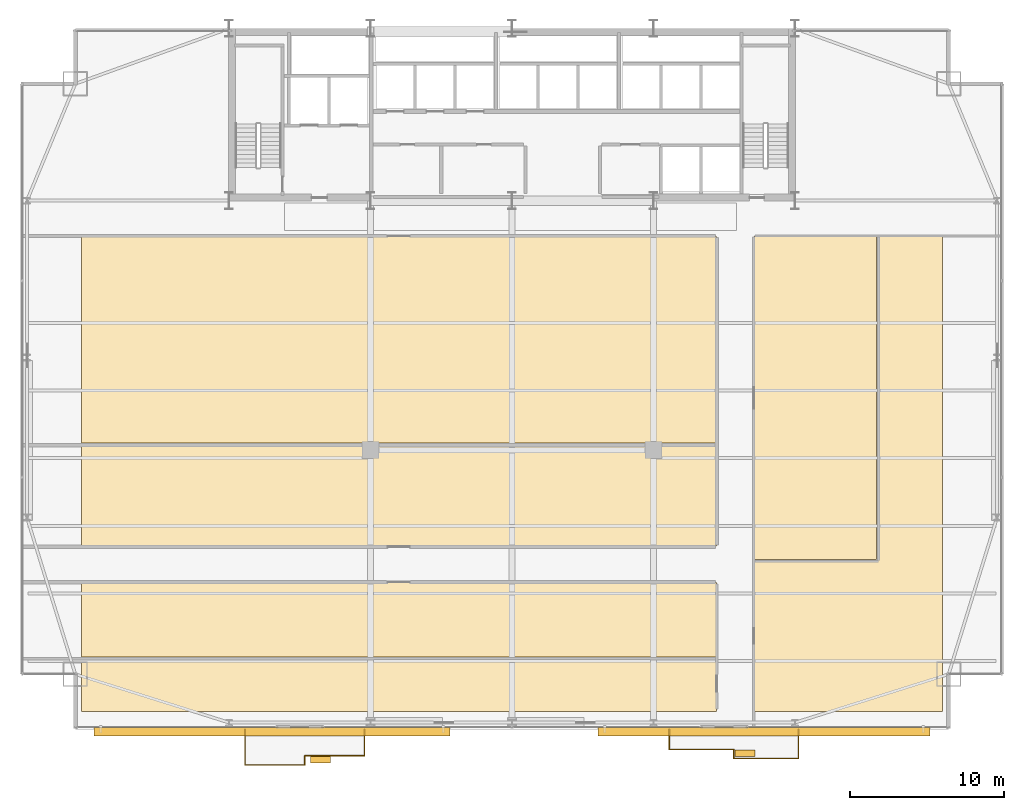
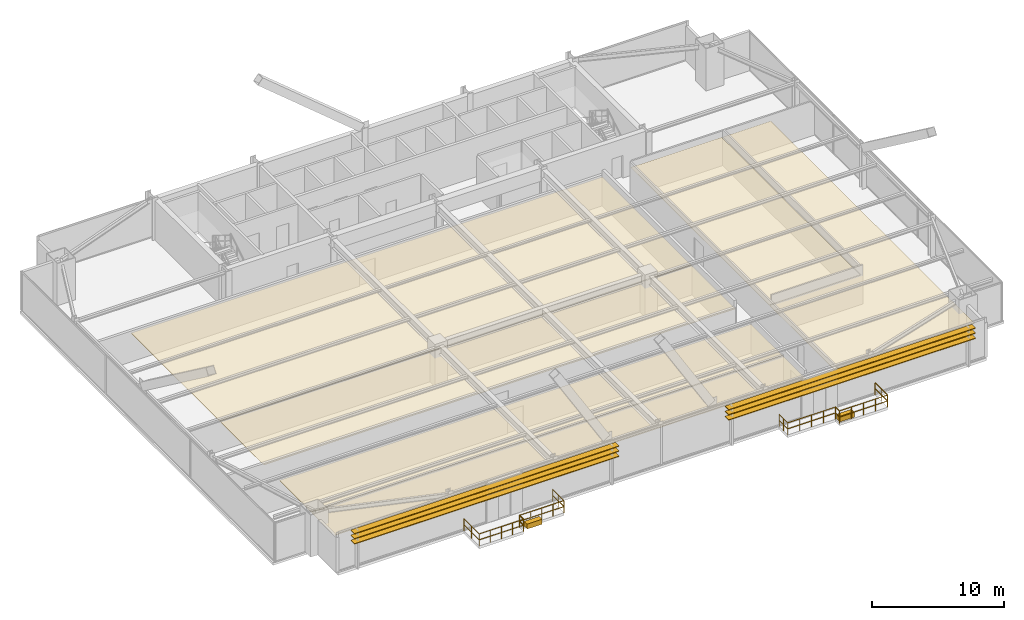
# One storey, part 33 of 34: 10 railings, 8 coverings, 6 shading devices.
"""IFC4 building model written with IfcOpenShell, lengths in metres."""

from ifc_helpers import new_model, si_unit, direction, frame, origin, origin_2d, place, context, subcontext, project, spatial, polyline, rectangle, outline, extrude, source, transform, mapped, material, layer, layer_set, type_object, type_shapes, element, save


model = new_model("IFC4")

# Units and contexts
model_context = context("Model", 3, precision=1e-05, world=origin(), true_north=direction((0.0, 1.0)))
body_context = subcontext(model_context, "Body", "Model", "MODEL_VIEW")
ifc_project = project(units=[si_unit("LENGTHUNIT", "METRE"), si_unit("AREAUNIT", "SQUARE_METRE"), si_unit("VOLUMEUNIT", "CUBIC_METRE"), si_unit("PLANEANGLEUNIT", "RADIAN"), si_unit("MASSUNIT", "GRAM", prefix="KILO")], contexts=[model_context])

# Site, building, storey
site_placement = place(None, origin())
site = spatial("IfcSite", under=ifc_project, at=site_placement, CompositionType="ELEMENT")
building_placement = place(site_placement, origin())
building = spatial("IfcBuilding", under=site, at=building_placement, Name="Varnel Quay Broadcast Tower", CompositionType="ELEMENT")
storey_placement = place(building_placement, frame((0.0, 0.0, 47.10009765625)))
storey = spatial("IfcBuildingStorey", under=building, at=storey_placement, Name="L10", CompositionType="ELEMENT", Elevation=47.10009765625)

# Coverings
ifc_material_1 = material(Name="Micro-Perforated Acoustic Ceiling Tile")
ifc_layer_1 = layer(ifc_material_1, 0.0400390625, Name="Micro-Perforated Acoustic Ceiling Tile")
ifc_layer_set_1 = layer_set([ifc_layer_1], Name="Micro-Perforated Acoustic Ceiling Tile")
covering_type_1 = type_object("IfcCoveringType", Name="Cov_AcousticCeiling", PredefinedType="CEILING", material=ifc_layer_set_1)
covering_1_placement = place(storey_placement, frame((0.0, 0.0, 2.579833984375)))
element("IfcCovering", 1, at=covering_1_placement, inside=storey, type_object=covering_type_1, Name="L10 Broadcast Seminar Room 1 Acoustic Ceiling", PredefinedType="CEILING", context=body_context, shape_type="SweptSolid", body=[
    extrude(outline(polyline([(5.985107421875, 2.375), (47.284912109375, 2.375), (47.284912109375, 5.864990234375), (5.985107421875, 5.864990234375), (5.985107421875, 2.375)])), origin(), (0.0, 0.0, 1.0), 0.0400390625),
])
covering_2_placement = place(storey_placement, frame((0.0, 0.0, 2.579833984375)))
element("IfcCovering", 2, at=covering_2_placement, inside=storey, type_object=covering_type_1, Name="L10 Podcast Recording Studio 2 Acoustic Ceiling", PredefinedType="CEILING", context=body_context, shape_type="SweptSolid", body=[
    extrude(outline(polyline([(5.985107421875, 5.93505859375), (47.284912109375, 5.93505859375), (47.284912109375, 10.7548828125), (5.985107421875, 10.7548828125), (5.985107421875, 5.93505859375)])), origin(), (0.0, 0.0, 1.0), 0.0400390625),
])
covering_3_placement = place(storey_placement, frame((0.0, 0.0, 2.579833984375)))
element("IfcCovering", 3, at=covering_3_placement, inside=storey, type_object=covering_type_1, Name="L10 Foley Sound Studio 3 Acoustic Ceiling", PredefinedType="CEILING", context=body_context, shape_type="SweptSolid", body=[
    extrude(outline(polyline([(5.985107421875, 13.125), (47.284912109375, 13.125), (47.284912109375, 19.7548828125), (5.985107421875, 19.7548828125), (5.985107421875, 13.125)])), origin(), (0.0, 0.0, 1.0), 0.0400390625),
])
covering_4_placement = place(storey_placement, frame((0.0, 0.0, 2.579833984375)))
element("IfcCovering", 4, at=covering_4_placement, inside=storey, type_object=covering_type_1, Name="L10 Voice Booth 4 Acoustic Ceiling", PredefinedType="CEILING", context=body_context, shape_type="SweptSolid", body=[
    extrude(outline(polyline([(5.985107421875, 19.824951171875), (47.284912109375, 19.824951171875), (47.284912109375, 33.264892578125), (5.985107421875, 33.264892578125), (5.985107421875, 19.824951171875)])), origin(), (0.0, 0.0, 1.0), 0.0400390625),
])
covering_5_placement = place(storey_placement, frame((0.0, 0.0, 2.579833984375)))
element("IfcCovering", 5, at=covering_5_placement, inside=storey, type_object=covering_type_1, Name="L10 Talent Lounge 5 Acoustic Ceiling", PredefinedType="CEILING", context=body_context, shape_type="SweptSolid", body=[
    extrude(outline(polyline([(49.7548828125, 2.375), (62.014892578125, 2.375), (62.014892578125, 33.264892578125), (57.784912109375, 33.264892578125), (57.784912109375, 12.195068359375), (49.7548828125, 12.195068359375), (49.7548828125, 2.375)])), origin(), (0.0, 0.0, 1.0), 0.0400390625),
])
covering_6_placement = place(storey_placement, frame((0.0, 0.0, 2.579833984375)))
element("IfcCovering", 6, at=covering_6_placement, inside=storey, type_object=covering_type_1, Name="L10 Foley Sound Studio 6 Acoustic Ceiling", PredefinedType="CEILING", context=body_context, shape_type="SweptSolid", body=[
    extrude(outline(polyline([(49.7548828125, 12.264892578125), (57.715087890625, 12.264892578125), (57.715087890625, 33.264892578125), (49.7548828125, 33.264892578125), (49.7548828125, 12.264892578125)])), origin(), (0.0, 0.0, 1.0), 0.0400390625),
])

# Railings
ifc_material_2 = material(Name="Anodised Bronze Aluminium 6063-T6", Category="aluminium")
railing_type = type_object("IfcRailingType", Name="Rail_Balustrade1150", PredefinedType="BALUSTRADE", material=ifc_material_2)
railing_1_placement = place(storey_placement, frame((16.6298828125, -1.110107421875, 0.0)))
element("IfcRailing", 7, at=railing_1_placement, inside=storey, type_object=railing_type, Name="L10 Terrace 1 Guard 1", PredefinedType="BALUSTRADE", context=body_context, shape_type="SweptSolid", body=[
    extrude(rectangle(XDim=0.048095703125, YDim=0.048095703125, at=origin_2d()), frame((0.0, 0.0, 1.1259765625), z_axis=(1.0, 0.0, 0.0), x_axis=(0.0, 1.0, 0.0)), (0.0, 0.0, 1.0), 3.885009765625),
    extrude(rectangle(XDim=0.048095703125, YDim=0.048095703125, at=origin_2d()), frame((0.0, 0.0, 0.574951171875), z_axis=(1.0, 0.0, 0.0), x_axis=(0.0, 1.0, 0.0)), (0.0, 0.0, 1.0), 3.885009765625),
    extrude(rectangle(XDim=0.0419921875, YDim=0.0419921875, at=origin_2d()), origin(), (0.0, 0.0, 1.0), 1.101806640625),
    extrude(rectangle(XDim=0.0419921875, YDim=0.0419921875, at=origin_2d()), frame((0.97119140625, 0.0, 0.0)), (0.0, 0.0, 1.0), 1.101806640625),
    extrude(rectangle(XDim=0.0419921875, YDim=0.0419921875, at=origin_2d()), frame((1.9423828125, 0.0, 0.0)), (0.0, 0.0, 1.0), 1.101806640625),
    extrude(rectangle(XDim=0.0419921875, YDim=0.0419921875, at=origin_2d()), frame((2.913818359375, 0.0, 0.0)), (0.0, 0.0, 1.0), 1.101806640625),
    extrude(rectangle(XDim=0.0419921875, YDim=0.0419921875, at=origin_2d()), frame((3.885009765625, 0.0, 0.0)), (0.0, 0.0, 1.0), 1.101806640625),
])
railing_2_placement = place(storey_placement, frame((20.514892578125, -1.110107421875, 0.0)))
element("IfcRailing", 8, at=railing_2_placement, inside=storey, type_object=railing_type, Name="L10 Terrace 1 Guard 2", PredefinedType="BALUSTRADE", context=body_context, shape_type="SweptSolid", body=[
    extrude(rectangle(XDim=0.048095703125, YDim=0.048095703125, at=origin_2d()), frame((0.0, 0.0, 1.1259765625), z_axis=(0.0, 1.0, 0.0), x_axis=(-1.0, 0.0, 0.0)), (0.0, 0.0, 1.0), 0.60009765625),
    extrude(rectangle(XDim=0.048095703125, YDim=0.048095703125, at=origin_2d()), frame((0.0, 0.0, 0.574951171875), z_axis=(0.0, 1.0, 0.0), x_axis=(-1.0, 0.0, 0.0)), (0.0, 0.0, 1.0), 0.60009765625),
    extrude(rectangle(XDim=0.0419921875, YDim=0.0419921875, at=origin_2d()), origin(), (0.0, 0.0, 1.0), 1.101806640625),
    extrude(rectangle(XDim=0.0419921875, YDim=0.0419921875, at=origin_2d()), frame((0.0, 0.60009765625, 0.0)), (0.0, 0.0, 1.0), 1.101806640625),
])
railing_3_placement = place(storey_placement, frame((20.514892578125, -0.510009765625, 0.0)))
element("IfcRailing", 9, at=railing_3_placement, inside=storey, type_object=railing_type, Name="L10 Terrace 1 Guard 3", PredefinedType="BALUSTRADE", context=body_context, shape_type="SweptSolid", body=[
    extrude(rectangle(XDim=0.048095703125, YDim=0.048095703125, at=origin_2d()), frame((0.0, 0.0, 1.1259765625), z_axis=(1.0, 0.0, 0.0), x_axis=(0.0, 1.0, 0.0)), (0.0, 0.0, 1.0), 3.885009765625),
    extrude(rectangle(XDim=0.048095703125, YDim=0.048095703125, at=origin_2d()), frame((0.0, 0.0, 0.574951171875), z_axis=(1.0, 0.0, 0.0), x_axis=(0.0, 1.0, 0.0)), (0.0, 0.0, 1.0), 3.885009765625),
    extrude(rectangle(XDim=0.0419921875, YDim=0.0419921875, at=origin_2d()), origin(), (0.0, 0.0, 1.0), 1.101806640625),
    extrude(rectangle(XDim=0.0419921875, YDim=0.0419921875, at=origin_2d()), frame((0.97119140625, 0.0, 0.0)), (0.0, 0.0, 1.0), 1.101806640625),
    extrude(rectangle(XDim=0.0419921875, YDim=0.0419921875, at=origin_2d()), frame((1.9423828125, 0.0, 0.0)), (0.0, 0.0, 1.0), 1.101806640625),
    extrude(rectangle(XDim=0.0419921875, YDim=0.0419921875, at=origin_2d()), frame((2.913818359375, 0.0, 0.0)), (0.0, 0.0, 1.0), 1.101806640625),
    extrude(rectangle(XDim=0.0419921875, YDim=0.0419921875, at=origin_2d()), frame((3.885009765625, 0.0, 0.0)), (0.0, 0.0, 1.0), 1.101806640625),
])
railing_4_placement = place(storey_placement, frame((24.39990234375, -0.510009765625, 0.0)))
element("IfcRailing", 10, at=railing_4_placement, inside=storey, type_object=railing_type, Name="L10 Terrace 1 Guard 4", PredefinedType="BALUSTRADE", context=body_context, shape_type="SweptSolid", body=[
    extrude(rectangle(XDim=0.048095703125, YDim=0.048095703125, at=origin_2d()), frame((0.0, 0.0, 1.1259765625), z_axis=(0.0, 1.0, 0.0), x_axis=(-1.0, 0.0, 0.0)), (0.0, 0.0, 1.0), 1.7099609375),
    extrude(rectangle(XDim=0.048095703125, YDim=0.048095703125, at=origin_2d()), frame((0.0, 0.0, 0.574951171875), z_axis=(0.0, 1.0, 0.0), x_axis=(-1.0, 0.0, 0.0)), (0.0, 0.0, 1.0), 1.7099609375),
    extrude(rectangle(XDim=0.0419921875, YDim=0.0419921875, at=origin_2d()), origin(), (0.0, 0.0, 1.0), 1.101806640625),
    extrude(rectangle(XDim=0.0419921875, YDim=0.0419921875, at=origin_2d()), frame((0.0, 0.85498046875, 0.0)), (0.0, 0.0, 1.0), 1.101806640625),
    extrude(rectangle(XDim=0.0419921875, YDim=0.0419921875, at=origin_2d()), frame((0.0, 1.7099609375, 0.0)), (0.0, 0.0, 1.0), 1.101806640625),
])
railing_5_placement = place(storey_placement, frame((16.6298828125, 1.199951171875, 0.0)))
element("IfcRailing", 11, at=railing_5_placement, inside=storey, type_object=railing_type, Name="L10 Terrace 1 Guard 6", PredefinedType="BALUSTRADE", context=body_context, shape_type="SweptSolid", body=[
    extrude(rectangle(XDim=0.048095703125, YDim=0.048095703125, at=origin_2d()), frame((0.0, 0.0, 1.1259765625), z_axis=(0.0, -1.0, 0.0), x_axis=(1.0, 0.0, 0.0)), (0.0, 0.0, 1.0), 2.31005859375),
    extrude(rectangle(XDim=0.048095703125, YDim=0.048095703125, at=origin_2d()), frame((0.0, 0.0, 0.574951171875), z_axis=(0.0, -1.0, 0.0), x_axis=(1.0, 0.0, 0.0)), (0.0, 0.0, 1.0), 2.31005859375),
    extrude(rectangle(XDim=0.0419921875, YDim=0.0419921875, at=origin_2d()), origin(), (0.0, 0.0, 1.0), 1.101806640625),
    extrude(rectangle(XDim=0.0419921875, YDim=0.0419921875, at=origin_2d()), frame((0.0, -1.155029296875, 0.0)), (0.0, 0.0, 1.0), 1.101806640625),
    extrude(rectangle(XDim=0.0419921875, YDim=0.0419921875, at=origin_2d()), frame((0.0, -2.31005859375, 0.0)), (0.0, 0.0, 1.0), 1.101806640625),
])
railing_6_placement = place(storey_placement, frame((44.22998046875, -0.090087890625, 0.0)))
element("IfcRailing", 12, at=railing_6_placement, inside=storey, type_object=railing_type, Name="L10 Terrace 2 Guard 1", PredefinedType="BALUSTRADE", context=body_context, shape_type="SweptSolid", body=[
    extrude(rectangle(XDim=0.048095703125, YDim=0.048095703125, at=origin_2d()), frame((0.0, 0.0, 1.1259765625), z_axis=(1.0, 0.0, 0.0), x_axis=(0.0, 1.0, 0.0)), (0.0, 0.0, 1.0), 4.199951171875),
    extrude(rectangle(XDim=0.048095703125, YDim=0.048095703125, at=origin_2d()), frame((0.0, 0.0, 0.574951171875), z_axis=(1.0, 0.0, 0.0), x_axis=(0.0, 1.0, 0.0)), (0.0, 0.0, 1.0), 4.199951171875),
    extrude(rectangle(XDim=0.0419921875, YDim=0.0419921875, at=origin_2d()), origin(), (0.0, 0.0, 1.0), 1.101806640625),
    extrude(rectangle(XDim=0.0419921875, YDim=0.0419921875, at=origin_2d()), frame((1.050048828125, 0.0, 0.0)), (0.0, 0.0, 1.0), 1.101806640625),
    extrude(rectangle(XDim=0.0419921875, YDim=0.0419921875, at=origin_2d()), frame((2.10009765625, 0.0, 0.0)), (0.0, 0.0, 1.0), 1.101806640625),
    extrude(rectangle(XDim=0.0419921875, YDim=0.0419921875, at=origin_2d()), frame((3.14990234375, 0.0, 0.0)), (0.0, 0.0, 1.0), 1.101806640625),
    extrude(rectangle(XDim=0.0419921875, YDim=0.0419921875, at=origin_2d()), frame((4.199951171875, 0.0, 0.0)), (0.0, 0.0, 1.0), 1.101806640625),
])
railing_7_placement = place(storey_placement, frame((48.429931640625, -0.090087890625, 0.0)))
element("IfcRailing", 13, at=railing_7_placement, inside=storey, type_object=railing_type, Name="L10 Terrace 2 Guard 2", PredefinedType="BALUSTRADE", context=body_context, shape_type="SweptSolid", body=[
    extrude(rectangle(XDim=0.048095703125, YDim=0.048095703125, at=origin_2d()), frame((0.0, 0.0, 1.1259765625), z_axis=(0.0, -1.0, 0.0), x_axis=(1.0, 0.0, 0.0)), (0.0, 0.0, 1.0), 0.599853515625),
    extrude(rectangle(XDim=0.048095703125, YDim=0.048095703125, at=origin_2d()), frame((0.0, 0.0, 0.574951171875), z_axis=(0.0, -1.0, 0.0), x_axis=(1.0, 0.0, 0.0)), (0.0, 0.0, 1.0), 0.599853515625),
    extrude(rectangle(XDim=0.0419921875, YDim=0.0419921875, at=origin_2d()), origin(), (0.0, 0.0, 1.0), 1.101806640625),
    extrude(rectangle(XDim=0.0419921875, YDim=0.0419921875, at=origin_2d()), frame((0.0, -0.599853515625, 0.0)), (0.0, 0.0, 1.0), 1.101806640625),
])
railing_8_placement = place(storey_placement, frame((48.429931640625, -0.68994140625, 0.0)))
element("IfcRailing", 14, at=railing_8_placement, inside=storey, type_object=railing_type, Name="L10 Terrace 2 Guard 3", PredefinedType="BALUSTRADE", context=body_context, shape_type="SweptSolid", body=[
    extrude(rectangle(XDim=0.048095703125, YDim=0.048095703125, at=origin_2d()), frame((0.0, 0.0, 1.1259765625), z_axis=(1.0, 0.0, 0.0), x_axis=(0.0, 1.0, 0.0)), (0.0, 0.0, 1.0), 4.199951171875),
    extrude(rectangle(XDim=0.048095703125, YDim=0.048095703125, at=origin_2d()), frame((0.0, 0.0, 0.574951171875), z_axis=(1.0, 0.0, 0.0), x_axis=(0.0, 1.0, 0.0)), (0.0, 0.0, 1.0), 4.199951171875),
    extrude(rectangle(XDim=0.0419921875, YDim=0.0419921875, at=origin_2d()), origin(), (0.0, 0.0, 1.0), 1.101806640625),
    extrude(rectangle(XDim=0.0419921875, YDim=0.0419921875, at=origin_2d()), frame((1.050048828125, 0.0, 0.0)), (0.0, 0.0, 1.0), 1.101806640625),
    extrude(rectangle(XDim=0.0419921875, YDim=0.0419921875, at=origin_2d()), frame((2.10009765625, 0.0, 0.0)), (0.0, 0.0, 1.0), 1.101806640625),
    extrude(rectangle(XDim=0.0419921875, YDim=0.0419921875, at=origin_2d()), frame((3.14990234375, 0.0, 0.0)), (0.0, 0.0, 1.0), 1.101806640625),
    extrude(rectangle(XDim=0.0419921875, YDim=0.0419921875, at=origin_2d()), frame((4.199951171875, 0.0, 0.0)), (0.0, 0.0, 1.0), 1.101806640625),
])
railing_9_placement = place(storey_placement, frame((52.6298828125, -0.68994140625, 0.0)))
element("IfcRailing", 15, at=railing_9_placement, inside=storey, type_object=railing_type, Name="L10 Terrace 2 Guard 4", PredefinedType="BALUSTRADE", context=body_context, shape_type="SweptSolid", body=[
    extrude(rectangle(XDim=0.048095703125, YDim=0.048095703125, at=origin_2d()), frame((0.0, 0.0, 1.1259765625), z_axis=(0.0, 1.0, 0.0), x_axis=(-1.0, 0.0, 0.0)), (0.0, 0.0, 1.0), 1.889892578125),
    extrude(rectangle(XDim=0.048095703125, YDim=0.048095703125, at=origin_2d()), frame((0.0, 0.0, 0.574951171875), z_axis=(0.0, 1.0, 0.0), x_axis=(-1.0, 0.0, 0.0)), (0.0, 0.0, 1.0), 1.889892578125),
    extrude(rectangle(XDim=0.0419921875, YDim=0.0419921875, at=origin_2d()), origin(), (0.0, 0.0, 1.0), 1.101806640625),
    extrude(rectangle(XDim=0.0419921875, YDim=0.0419921875, at=origin_2d()), frame((0.0, 0.94482421875, 0.0)), (0.0, 0.0, 1.0), 1.101806640625),
    extrude(rectangle(XDim=0.0419921875, YDim=0.0419921875, at=origin_2d()), frame((0.0, 1.889892578125, 0.0)), (0.0, 0.0, 1.0), 1.101806640625),
])
railing_10_placement = place(storey_placement, frame((44.22998046875, 1.199951171875, 0.0)))
element("IfcRailing", 16, at=railing_10_placement, inside=storey, type_object=railing_type, Name="L10 Terrace 2 Guard 6", PredefinedType="BALUSTRADE", context=body_context, shape_type="SweptSolid", body=[
    extrude(rectangle(XDim=0.048095703125, YDim=0.048095703125, at=origin_2d()), frame((0.0, 0.0, 1.1259765625), z_axis=(0.0, -1.0, 0.0), x_axis=(1.0, 0.0, 0.0)), (0.0, 0.0, 1.0), 1.2900390625),
    extrude(rectangle(XDim=0.048095703125, YDim=0.048095703125, at=origin_2d()), frame((0.0, 0.0, 0.574951171875), z_axis=(0.0, -1.0, 0.0), x_axis=(1.0, 0.0, 0.0)), (0.0, 0.0, 1.0), 1.2900390625),
    extrude(rectangle(XDim=0.0419921875, YDim=0.0419921875, at=origin_2d()), origin(), (0.0, 0.0, 1.0), 1.101806640625),
    extrude(rectangle(XDim=0.0419921875, YDim=0.0419921875, at=origin_2d()), frame((0.0, -0.64501953125, 0.0)), (0.0, 0.0, 1.0), 1.101806640625),
    extrude(rectangle(XDim=0.0419921875, YDim=0.0419921875, at=origin_2d()), frame((0.0, -1.2900390625, 0.0)), (0.0, 0.0, 1.0), 1.101806640625),
])

# Coverings
ifc_material_3 = material(Name="Bronze-Terracotta Extruded Ceramic Blade", Category="masonry")
ifc_layer_2 = layer(ifc_material_3, 0.449951171875, Name="Bronze-Terracotta Extruded Ceramic Blade")
ifc_layer_set_2 = layer_set([ifc_layer_2], Name="Bronze-Terracotta Extruded Ceramic Blade")
covering_type_2 = type_object("IfcCoveringType", Name="Cov_BronzePlanter", PredefinedType="CLADDING", material=ifc_layer_set_2)
shared_shape_1 = source(origin(), body_context, "Body", "SweptSolid", [
    extrude(rectangle(XDim=1.300048828125, YDim=0.449951171875, at=origin_2d()), origin(), (0.0, 0.0, 1.0), 0.449951171875),
])
type_shapes(covering_type_2, [shared_shape_1])
for number, where, z_axis, x_axis, name in (
    (17, (21.550048828125, -0.760009765625, 0.0), (0.0, 0.0, 1.0), (1.0, 0.0, 0.0), "L10 Terrace 1 Bronze Planter"),
    (18, (49.14990234375, -0.340087890625, 0.0), (0.0, 0.0, 1.0), (1.0, 0.0, 0.0), "L10 Terrace 2 Bronze Planter"),
):
    element("IfcCovering", number, at=place(storey_placement, frame(where, z_axis=z_axis, x_axis=x_axis)), inside=storey, type_object=covering_type_2, Name=name, PredefinedType="CLADDING", context=body_context, shape_type="MappedRepresentation", body=[
        mapped(shared_shape_1, transform((0.0, 0.0, 0.0), x_axis=(1.0, 0.0, 0.0), y_axis=(0.0, 1.0, 0.0), z_axis=(0.0, 0.0, 1.0), scale=1.0)),
    ])

# Shading devices
ifc_layer_3 = layer(ifc_material_3, 0.06494140625, Name="Bronze-Terracotta Extruded Ceramic Blade")
ifc_layer_set_3 = layer_set([ifc_layer_3], Name="Bronze-Terracotta Extruded Ceramic Blade")
shading_device_type = type_object("IfcShadingDeviceType", Name="Shade_LouvreBlade550", PredefinedType="JALOUSIE", material=ifc_layer_set_3)
shared_shape_2 = source(origin(), body_context, "Body", "SweptSolid", [
    extrude(rectangle(XDim=23.178955078125, YDim=0.550048828125, at=origin_2d()), origin(), (0.0, 0.0, 1.0), 0.06494140625),
])
for number, where, z_axis, x_axis, name in (
    (19, (18.388916015625, 1.06005859375, 2.447509765625), (0.0, 0.0, 1.0), (1.0, 0.0, 0.0), "L10 Lobe 1 Horizontal Louvre Blade 1"),
    (20, (18.388916015625, 1.06005859375, 2.927490234375), (0.0, 0.0, 1.0), (1.0, 0.0, 0.0), "L10 Lobe 1 Horizontal Louvre Blade 2"),
    (21, (18.388916015625, 1.06005859375, 3.387451171875), (0.0, 0.0, 1.0), (1.0, 0.0, 0.0), "L10 Lobe 1 Horizontal Louvre Blade 3"),
):
    element("IfcShadingDevice", number, at=place(storey_placement, frame(where, z_axis=z_axis, x_axis=x_axis)), inside=storey, type_object=shading_device_type, Name=name, PredefinedType="JALOUSIE", context=body_context, shape_type="MappedRepresentation", body=[
        mapped(shared_shape_2, transform((0.0, 0.0, 0.0), x_axis=(1.0, 0.0, 0.0), y_axis=(0.0, 1.0, 0.0), z_axis=(0.0, 0.0, 1.0), scale=1.0)),
    ])
shared_shape_3 = source(origin(), body_context, "Body", "SweptSolid", [
    extrude(rectangle(XDim=21.62109375, YDim=0.550048828125, at=origin_2d()), origin(), (0.0, 0.0, 1.0), 0.06494140625),
])
type_shapes(shading_device_type, [shared_shape_2, shared_shape_3])
for number, where, z_axis, x_axis, name in (
    (22, (50.388916015625, 1.06005859375, 2.447509765625), (0.0, 0.0, 1.0), (1.0, 0.0, 0.0), "L10 Lobe 2 Horizontal Louvre Blade 1"),
    (23, (50.388916015625, 1.06005859375, 2.927490234375), (0.0, 0.0, 1.0), (1.0, 0.0, 0.0), "L10 Lobe 2 Horizontal Louvre Blade 2"),
    (24, (50.388916015625, 1.06005859375, 3.387451171875), (0.0, 0.0, 1.0), (1.0, 0.0, 0.0), "L10 Lobe 2 Horizontal Louvre Blade 3"),
):
    element("IfcShadingDevice", number, at=place(storey_placement, frame(where, z_axis=z_axis, x_axis=x_axis)), inside=storey, type_object=shading_device_type, Name=name, PredefinedType="JALOUSIE", context=body_context, shape_type="MappedRepresentation", body=[
        mapped(shared_shape_3, transform((0.0, 0.0, 0.0), x_axis=(1.0, 0.0, 0.0), y_axis=(0.0, 1.0, 0.0), z_axis=(0.0, 0.0, 1.0), scale=1.0)),
    ])

save(model, "model.ifc")
